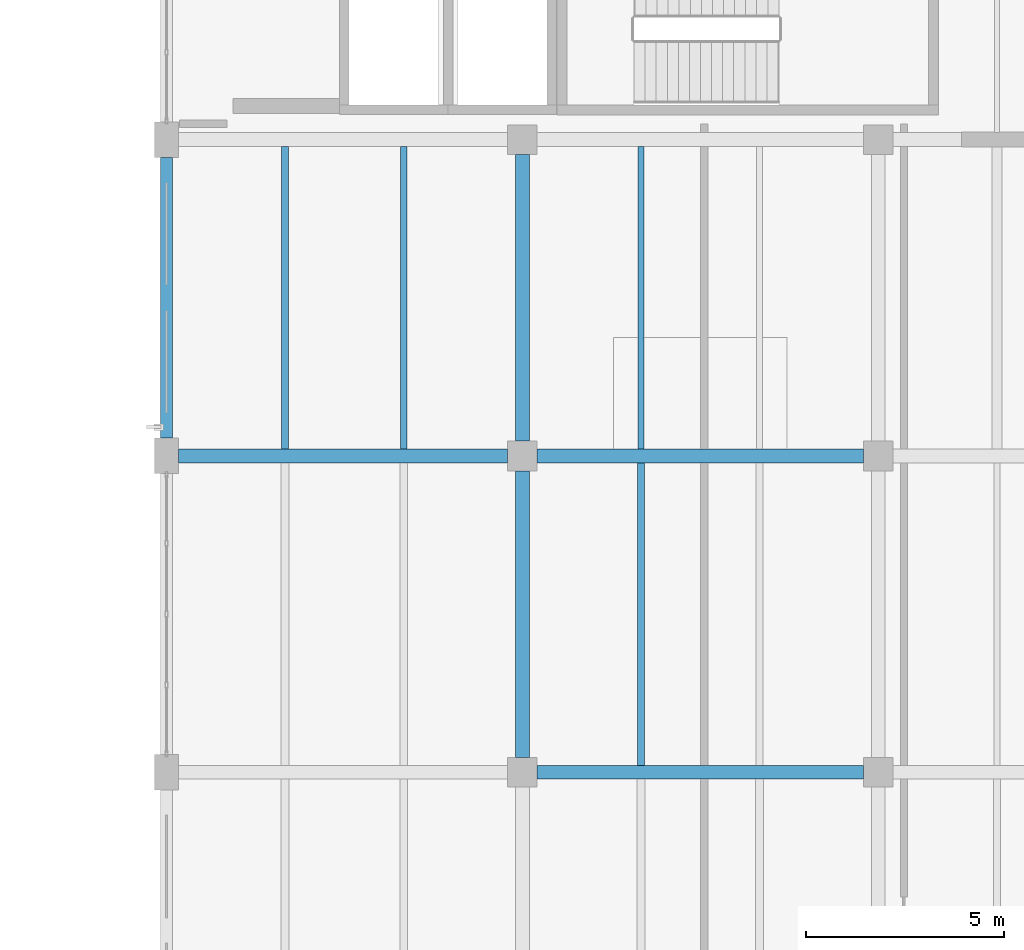
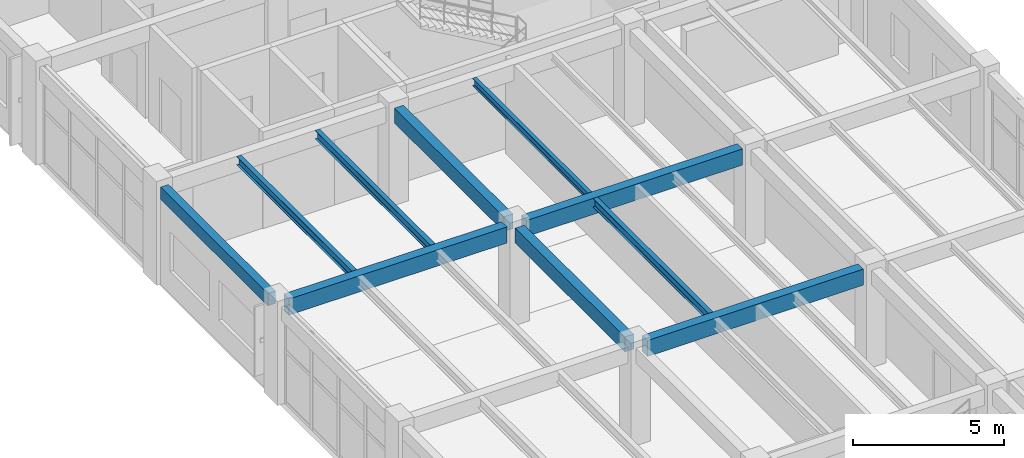
# One storey, part 78 of 128: 10 beams.
"""IFC4 building model written with IfcOpenShell, lengths in metres."""

import ifcopenshell
import ifcopenshell.guid

model = None  # the IFC model being written
_history = None  # IfcOwnerHistory: only IFC2X3 demands one
_inside = {}  # id of a spatial element -> (the spatial element, [elements in it])
_under = {}  # id of a project, library or spatial element -> (it, [spatial elements below it])
_declared = {}  # id of a project -> (the project, [libraries it declares])
_typed = {}  # id of a type object -> (the type object, [elements of that type])
_made_of = {}  # id of a material, layer set ... -> (it, [elements and type objects made of it])


def new_model(schema):
    """Start an empty IFC model of exactly this schema.

    Asked for "IFC4X3", IfcOpenShell would pick the latest addendum, in which some entities
    have other attributes; the version numbers below select the first issue.
    IFC2X3 requires an IfcOwnerHistory on every rooted entity: one is made here for all.
    """
    global model, _history
    if schema == "IFC4X3":
        model = ifcopenshell.file(schema_version=(4, 3, 0, 0))
    else:
        model = ifcopenshell.file(schema=schema)
    _inside.clear()
    _under.clear()
    _declared.clear()
    _typed.clear()
    _made_of.clear()
    _history = None
    if model.schema == "IFC2X3":
        org = make("IfcOrganization", Name="unknown")
        user = make(
            "IfcPersonAndOrganization",
            ThePerson=make("IfcPerson", FamilyName="unknown"),
            TheOrganization=org,
        )
        app = make(
            "IfcApplication",
            ApplicationDeveloper=org,
            Version="unknown",
            ApplicationFullName="unknown",
            ApplicationIdentifier="unknown",
        )
        _history = make(
            "IfcOwnerHistory",
            OwningUser=user,
            OwningApplication=app,
            ChangeAction="ADDED",
            CreationDate=0,
        )
    return model


def make(cls, **values):
    """One entity of the class cls with the attributes given. An attribute that is None is left unset."""
    return model.create_entity(
        cls, **{name: value for name, value in values.items() if value is not None}
    )


def rooted(cls, **values):
    """An entity with a GlobalId (a new one), such as an element, a storey or a relation."""
    return make(cls, GlobalId=ifcopenshell.guid.new(), OwnerHistory=_history, **values)


def si_unit(unit_type, name, prefix=None):
    """IfcSIUnit, for example si_unit("LENGTHUNIT", "METRE", prefix="MILLI")."""
    return make("IfcSIUnit", UnitType=unit_type, Prefix=prefix, Name=name)


def derived_unit(unit_type, elements):
    """IfcDerivedUnit: a product of units, each with its exponent."""
    return make(
        "IfcDerivedUnit",
        Elements=[
            make("IfcDerivedUnitElement", Unit=unit, Exponent=power)
            for unit, power in elements
        ],
        UnitType=unit_type,
    )


def assignment(units):
    """IfcUnitAssignment: the units of a project."""
    return None if units is None else make("IfcUnitAssignment", Units=units)


def point(xyz):
    """IfcCartesianPoint."""
    return None if xyz is None else make("IfcCartesianPoint", Coordinates=xyz)


def direction(xyz):
    """IfcDirection."""
    return None if xyz is None else make("IfcDirection", DirectionRatios=xyz)


def frame(location, z_axis=None, x_axis=None):
    """IfcAxis2Placement3D, a coordinate frame: its origin and axes. An axis left out is left unset."""
    return make(
        "IfcAxis2Placement3D",
        Location=point(location),
        Axis=direction(z_axis),
        RefDirection=direction(x_axis),
    )


def frame_2d(location, x_axis=None):
    """IfcAxis2Placement2D, a coordinate frame in the plane: its origin and x axis."""
    return make(
        "IfcAxis2Placement2D", Location=point(location), RefDirection=direction(x_axis)
    )


def origin():
    """The frame at (0, 0, 0) with its axes left unset."""
    return frame((0.0, 0.0, 0.0))


def origin_2d():
    """The frame at (0, 0) in the plane with its x axis left unset."""
    return frame_2d((0.0, 0.0))


def place(relative_to, where):
    """IfcLocalPlacement: puts the frame where relative to a parent placement (None: the world)."""
    return make(
        "IfcLocalPlacement", PlacementRelTo=relative_to, RelativePlacement=where
    )


def context(
    kind, dimensions, precision=None, world=None, true_north=None, identifier=None
):
    """IfcGeometricRepresentationContext, for example the 3D "Model" context."""
    return make(
        "IfcGeometricRepresentationContext",
        ContextIdentifier=identifier,
        ContextType=kind,
        CoordinateSpaceDimension=dimensions,
        Precision=precision,
        WorldCoordinateSystem=world,
        TrueNorth=true_north,
    )


def subcontext(parent, identifier, kind, view, scale=None):
    """IfcGeometricRepresentationSubContext, for example "Body" below "Model"."""
    return make(
        "IfcGeometricRepresentationSubContext",
        ContextIdentifier=identifier,
        ContextType=kind,
        ParentContext=parent,
        TargetScale=scale,
        TargetView=view,
    )


def project(units=None, contexts=None):
    """IfcProject with its units and contexts."""
    return rooted(
        "IfcProject",
        Name="project",
        RepresentationContexts=contexts,
        UnitsInContext=assignment(units),
    )


def spatial(cls, under=None, at=None, **own):
    """A site, building, storey or space (cls), placed at a placement, below another one or the project."""
    s = rooted(cls, ObjectPlacement=at, **own)
    if under is not None:
        _under.setdefault(under.id(), (under, []))[1].append(s)
    return s


def profile(cls, at=None, kind="AREA", **sizes):
    """A parametric profile (cls). Its sizes go by their IFC names, for example OverallWidth=200.0."""
    return make(cls, ProfileType=kind, Position=at, **sizes)


def rectangle(**sizes):
    """IfcRectangleProfileDef."""
    return profile("IfcRectangleProfileDef", **sizes)


def i_section(**sizes):
    """IfcIShapeProfileDef."""
    return profile("IfcIShapeProfileDef", **sizes)


def extrude(swept, where, along, depth):
    """IfcExtrudedAreaSolid: the profile swept, set in the frame where, extruded along a direction by depth."""
    return make(
        "IfcExtrudedAreaSolid",
        SweptArea=swept,
        Position=where,
        ExtrudedDirection=direction(along),
        Depth=depth,
    )


def shape(context_of_items, identifier, shape_type, items):
    """IfcShapeRepresentation: the items that make up one representation, for example the "Body"."""
    return make(
        "IfcShapeRepresentation",
        ContextOfItems=context_of_items,
        RepresentationIdentifier=identifier,
        RepresentationType=shape_type,
        Items=items,
    )


def material(Name=None, Category=None):
    """IfcMaterial."""
    return make("IfcMaterial", Name=Name, Category=Category)


def material_profile(
    of_material, cross_section, Name=None, Category=None, Priority=None
):
    """IfcMaterialProfile: a cross section and its material."""
    return make(
        "IfcMaterialProfile",
        Name=Name,
        Material=of_material,
        Profile=cross_section,
        Priority=Priority,
        Category=Category,
    )


def profile_set(profiles, Name=None, composite=None):
    """IfcMaterialProfileSet."""
    return make(
        "IfcMaterialProfileSet",
        Name=Name,
        MaterialProfiles=profiles,
        CompositeProfile=composite,
    )


def made_of(thing, what):
    """Note that an element or type object is made of a material, layer set ...; save() writes the relation."""
    if what is not None:
        _made_of.setdefault(what.id(), (what, []))[1].append(thing)
    return thing


def type_object(cls, material=None, **own):
    """A type object (cls), such as IfcWallType, which elements share."""
    return made_of(rooted(cls, **own), material)


def element(
    cls,
    number,
    at=None,
    inside=None,
    cuts=None,
    type_object=None,
    material=None,
    context=None,
    identifier="Body",
    shape_type=None,
    held_by="IfcProductDefinitionShape",
    body=None,
    shapes=None,
    **own,
):
    """One element of the class cls, such as IfcWall. Its Tag is "e" and its number.

    at: its placement. inside: the storey or other place that contains it. cuts: it is an
    opening in that element (IfcRelVoidsElement). A single representation is given by context,
    identifier, shape_type and body (its items); several are given by shapes. held_by: the class
    of the entity that holds the representations. save() writes the other relations.
    """
    e = rooted(cls, Tag="e%d" % number, ObjectPlacement=at, **own)
    if body is not None:
        shapes = [shape(context, identifier, shape_type, body)]
    if shapes is not None:
        e.Representation = make(held_by, Representations=shapes)
    if inside is not None:
        _inside.setdefault(inside.id(), (inside, []))[1].append(e)
    if cuts is not None:
        rooted(
            "IfcRelVoidsElement", RelatingBuildingElement=cuts, RelatedOpeningElement=e
        )
    if type_object is not None:
        _typed.setdefault(type_object.id(), (type_object, []))[1].append(e)
    return made_of(e, material)


def aggregate(whole, parts):
    """IfcRelAggregates: a whole, such as a stair, and the parts it consists of."""
    return rooted("IfcRelAggregates", RelatingObject=whole, RelatedObjects=parts)


def save(model, path):
    """Write the relations noted so far, then the file.

    IfcRelAggregates (storeys below a building ...), IfcRelContainedInSpatialStructure (elements
    in a storey), IfcRelDefinesByType, IfcRelAssociatesMaterial and IfcRelDeclares: one each for
    every whole, place, type object, material and project.
    """
    for whole, parts in _under.values():
        aggregate(whole, parts)
    for where, things in _inside.values():
        rooted(
            "IfcRelContainedInSpatialStructure",
            RelatedElements=things,
            RelatingStructure=where,
        )
    for kind, things in _typed.values():
        rooted("IfcRelDefinesByType", RelatedObjects=things, RelatingType=kind)
    for what, things in _made_of.values():
        rooted("IfcRelAssociatesMaterial", RelatedObjects=things, RelatingMaterial=what)
    for by, libraries in _declared.values():
        rooted("IfcRelDeclares", RelatingContext=by, RelatedDefinitions=libraries)
    model.write(path)


model = new_model("IFC4")

# Units and contexts
model_context = context("Model", 3, precision=1e-05, world=origin(), true_north=direction((0.0, 1.0)))
body_context = subcontext(model_context, "Body", "Model", "MODEL_VIEW")
ifc_project = project(units=[si_unit("LENGTHUNIT", "METRE"), si_unit("AREAUNIT", "SQUARE_METRE"), si_unit("VOLUMEUNIT", "CUBIC_METRE"), si_unit("PLANEANGLEUNIT", "RADIAN"), si_unit("MASSUNIT", "GRAM", prefix="KILO"), derived_unit("THERMALTRANSMITTANCEUNIT", [(si_unit("MASSUNIT", "GRAM", prefix="KILO"), 1), (si_unit("TIMEUNIT", "SECOND"), -3), (si_unit("THERMODYNAMICTEMPERATUREUNIT", "KELVIN"), -1)])], contexts=[model_context])

# Site, building, storey
site_placement = place(None, origin())
site = spatial("IfcSite", under=ifc_project, at=site_placement, CompositionType="ELEMENT")
building_placement = place(site_placement, origin())
building = spatial("IfcBuilding", under=site, at=building_placement, Name="Zhenchuan Archway Interchange", CompositionType="ELEMENT")
storey_placement = place(building_placement, frame((0.0, 0.0, 14.39990234375)))
storey = spatial("IfcBuildingStorey", under=building, at=storey_placement, Name="L03", CompositionType="ELEMENT", Elevation=14.39990234375)

# Beams
ifc_material_1 = material(Name="Concrete C40", Category="concrete")
ifc_material_profile_1 = material_profile(ifc_material_1, rectangle(XDim=0.35009765625, YDim=0.60009765625, at=origin_2d()), Name="RC 350x600")
ifc_profile_set_1 = profile_set([ifc_material_profile_1], Name="Concrete C40")
beam_type_1 = type_object("IfcBeamType", Name="BM_RC_350x600", PredefinedType="BEAM", material=ifc_profile_set_1)
for number, where, z_axis, x_axis, name in (
    (1, (153.0, 32.375, 3.630126953125), (0.0, 1.0, 0.0), (-1.0, 0.0, 0.0), "Beam 18:E-F (L03)"),
    (2, (153.0, 40.375, 3.630126953125), (0.0, 1.0, 0.0), (-1.0, 0.0, 0.0), "Beam 18:F-G (L03)"),
):
    element("IfcBeam", number, at=place(storey_placement, frame(where, z_axis=z_axis, x_axis=x_axis)), inside=storey, type_object=beam_type_1, Name=name, PredefinedType="BEAM", context=body_context, shape_type="SweptSolid", body=[
        extrude(rectangle(XDim=0.35009765625, YDim=0.60009765625, at=origin_2d()), origin(), (0.0, 0.0, 1.0), 7.25),
    ])
ifc_material_profile_2 = material_profile(ifc_material_1, rectangle(XDim=0.35009765625, YDim=0.64990234375, at=origin_2d()), Name="RC 350x650")
ifc_profile_set_2 = profile_set([ifc_material_profile_2], Name="Concrete C40")
beam_type_2 = type_object("IfcBeamType", Name="BM_RC_350x650", PredefinedType="BEAM", material=ifc_profile_set_2)
beam_1_placement = place(storey_placement, frame((153.375, 32.0, 3.60498046875), z_axis=(1.0, 0.0, 0.0), x_axis=(0.0, 1.0, 0.0)))
element("IfcBeam", 3, at=beam_1_placement, inside=storey, type_object=beam_type_2, Name="Beam E:18-19 (L03)", PredefinedType="BEAM", context=body_context, shape_type="SweptSolid", body=[
    extrude(rectangle(XDim=0.35009765625, YDim=0.64990234375, at=origin_2d()), origin(), (0.0, 0.0, 1.0), 8.25),
])
beam_2_placement = place(storey_placement, frame((144.300048828125, 40.0, 3.60498046875), z_axis=(1.0, 0.0, 0.0), x_axis=(0.0, 1.0, 0.0)))
element("IfcBeam", 4, at=beam_2_placement, inside=storey, type_object=beam_type_2, Name="Beam F:17-18 (L03)", PredefinedType="BEAM", context=body_context, shape_type="SweptSolid", body=[
    extrude(rectangle(XDim=0.35009765625, YDim=0.64990234375, at=origin_2d()), origin(), (0.0, 0.0, 1.0), 8.324951171875),
])
beam_3_placement = place(storey_placement, frame((153.375, 40.0, 3.60498046875), z_axis=(1.0, 0.0, 0.0), x_axis=(0.0, 1.0, 0.0)))
element("IfcBeam", 5, at=beam_3_placement, inside=storey, type_object=beam_type_2, Name="Beam F:18-19 (L03)", PredefinedType="BEAM", context=body_context, shape_type="SweptSolid", body=[
    extrude(rectangle(XDim=0.35009765625, YDim=0.64990234375, at=origin_2d()), origin(), (0.0, 0.0, 1.0), 8.25),
])
ifc_material_2 = material(Name="Steel Q355", Category="steel")
ifc_material_profile_3 = material_profile(ifc_material_2, i_section(OverallWidth=0.14990234375, OverallDepth=0.300048828125, WebThickness=0.006591796875, FlangeThickness=0.009033203125, FilletRadius=0.012939453125, at=origin_2d()), Name="HN 300x150")
ifc_profile_set_3 = profile_set([ifc_material_profile_3], Name="Steel Q355")
beam_type_3 = type_object("IfcBeamType", Name="JST_STL_HN300", PredefinedType="JOIST", material=ifc_profile_set_3)
beam_4_placement = place(storey_placement, frame((156.0, 40.175048828125, 3.780029296875), z_axis=(0.0, 1.0, 0.0), x_axis=(-1.0, 0.0, 0.0)))
element("IfcBeam", 6, at=beam_4_placement, inside=storey, type_object=beam_type_3, Name="Secondary joist 18-19/F-G #1 (L03)", PredefinedType="JOIST", context=body_context, shape_type="SweptSolid", body=[
    extrude(i_section(OverallWidth=0.14990234375, OverallDepth=0.300048828125, WebThickness=0.006591796875, FlangeThickness=0.009033203125, FilletRadius=0.012939453125, at=origin_2d()), origin(), (0.0, 0.0, 1.0), 7.64990234375),
])
ifc_material_profile_4 = material_profile(ifc_material_2, i_section(OverallWidth=0.175048828125, OverallDepth=0.35009765625, WebThickness=0.007080078125, FlangeThickness=0.010986328125, FilletRadius=0.013916015625, at=origin_2d()), Name="HN 350x175")
ifc_profile_set_4 = profile_set([ifc_material_profile_4], Name="Steel Q355")
beam_type_4 = type_object("IfcBeamType", Name="JST_STL_HN350", PredefinedType="JOIST", material=ifc_profile_set_4)
for number, where, z_axis, x_axis, name in (
    (7, (147.0, 40.175048828125, 3.755126953125), (0.0, 1.0, 0.0), (-1.0, 0.0, 0.0), "Secondary joist 17-18/F-G #1 (L03)"),
    (8, (150.0, 40.175048828125, 3.755126953125), (0.0, 1.0, 0.0), (-1.0, 0.0, 0.0), "Secondary joist 17-18/F-G #2 (L03)"),
    (9, (156.0, 32.175048828125, 3.755126953125), (0.0, 1.0, 0.0), (-1.0, 0.0, 0.0), "Secondary joist 18-19/E-F #1 (L03)"),
):
    element("IfcBeam", number, at=place(storey_placement, frame(where, z_axis=z_axis, x_axis=x_axis)), inside=storey, type_object=beam_type_4, Name=name, PredefinedType="JOIST", context=body_context, shape_type="SweptSolid", body=[
        extrude(i_section(OverallWidth=0.175048828125, OverallDepth=0.35009765625, WebThickness=0.007080078125, FlangeThickness=0.010986328125, FilletRadius=0.013916015625, at=origin_2d()), origin(), (0.0, 0.0, 1.0), 7.64990234375),
    ])
ifc_material_profile_5 = material_profile(ifc_material_1, rectangle(XDim=0.300048828125, YDim=0.5, at=origin_2d()), Name="RC 300x500")
ifc_profile_set_5 = profile_set([ifc_material_profile_5], Name="Concrete C40")
beam_type_5 = type_object("IfcBeamType", Name="SP_RC_300x500", PredefinedType="SPANDREL", material=ifc_profile_set_5)
beam_5_placement = place(storey_placement, frame((144.0, 40.449951171875, 3.68017578125), z_axis=(0.0, 1.0, 0.0), x_axis=(-1.0, 0.0, 0.0)))
element("IfcBeam", 10, at=beam_5_placement, inside=storey, type_object=beam_type_5, Name="Beam 17:F-G (L03)", PredefinedType="SPANDREL", context=body_context, shape_type="SweptSolid", body=[
    extrude(rectangle(XDim=0.300048828125, YDim=0.5, at=origin_2d()), origin(), (0.0, 0.0, 1.0), 7.10009765625),
])

save(model, "model.ifc")
